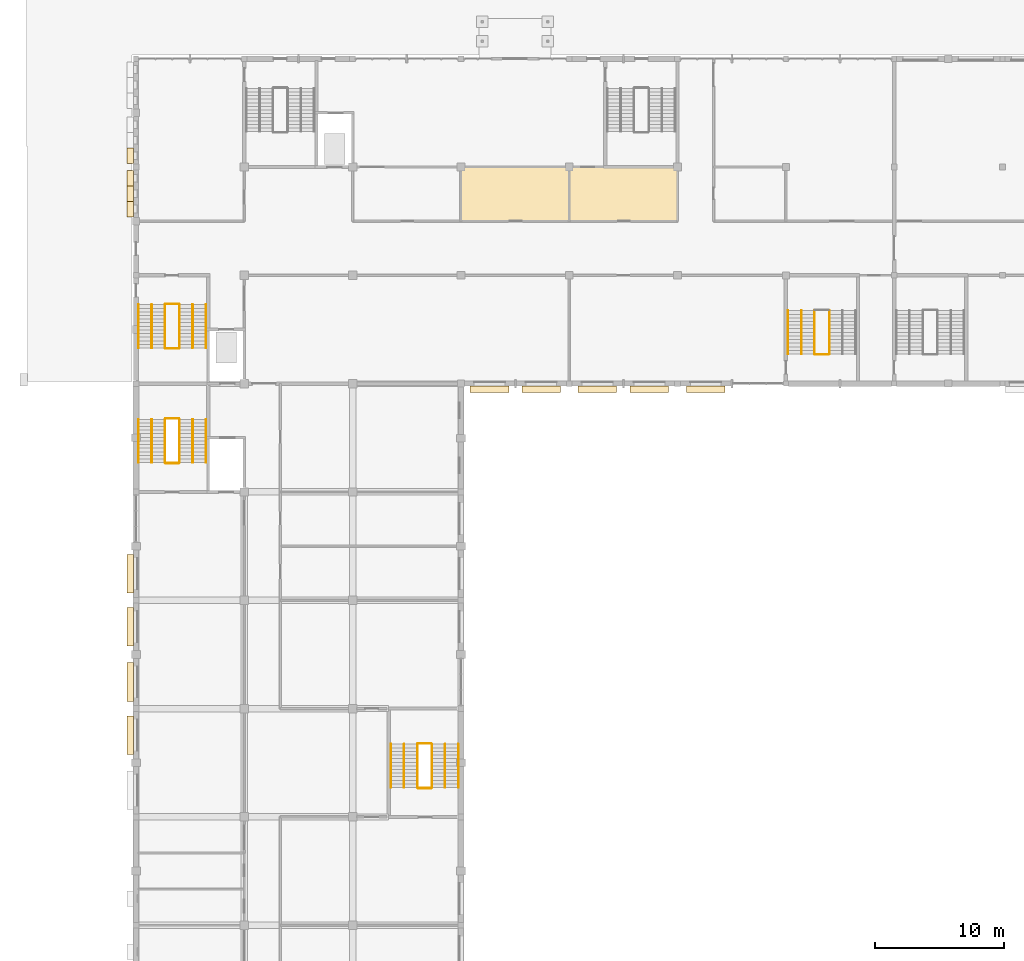
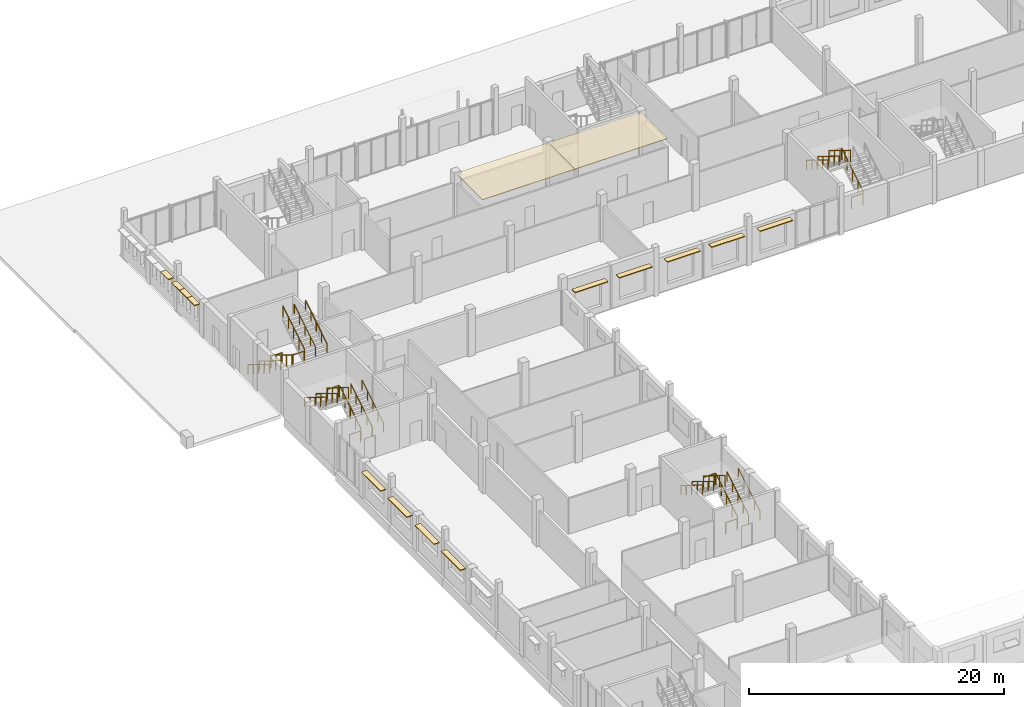
# One storey, part 95 of 101: 29 railings, 15 coverings.
"""IFC4 building model written with IfcOpenShell, lengths in metres."""

from ifc_helpers import new_model, si_unit, direction, frame, origin, origin_2d, place, context, subcontext, project, spatial, rectangle, circle, extrude, material, layer, layer_set, type_object, element, save


model = new_model("IFC4")

# Units and contexts
model_context = context("Model", 3, precision=1e-05, world=origin(), true_north=direction((0.0, 1.0)))
body_context = subcontext(model_context, "Body", "Model", "MODEL_VIEW")
ifc_project = project(units=[si_unit("LENGTHUNIT", "METRE"), si_unit("AREAUNIT", "SQUARE_METRE"), si_unit("VOLUMEUNIT", "CUBIC_METRE"), si_unit("PLANEANGLEUNIT", "RADIAN"), si_unit("MASSUNIT", "GRAM", prefix="KILO")], contexts=[model_context])

# Site, building, storey
site_placement = place(None, origin())
site = spatial("IfcSite", under=ifc_project, at=site_placement, CompositionType="ELEMENT")
building_placement = place(site_placement, origin())
building = spatial("IfcBuilding", under=site, at=building_placement, Name="Fescue Hill Polytechnic", CompositionType="ELEMENT")
storey_placement = place(building_placement, frame((0.0, 0.0, 9.0)))
storey = spatial("IfcBuildingStorey", under=building, at=storey_placement, Name="L02", CompositionType="ELEMENT", Elevation=9.0)

# Coverings
ifc_material_1 = material(Name="Precast concrete C40/50", Category="concrete")
ifc_layer = layer(ifc_material_1, 0.080078125)
ifc_layer_set = layer_set([ifc_layer], Name="Precast concrete C40/50")
covering_type = type_object("IfcCoveringType", Name="Shade blade precast 500x80", PredefinedType="CLADDING", material=ifc_layer_set)
for number, where, z_axis, x_axis, name in (
    (1, (-0.43994140625, 94.46240234375, 2.75), (0.0, 0.0, 1.0), (0.0, -1.0, 0.0), "SB-L02-V4-1"),
    (2, (-0.43994140625, 90.33740234375, 2.75), (0.0, 0.0, 1.0), (0.0, -1.0, 0.0), "SB-L02-V4-2"),
    (3, (-0.43994140625, 86.0625, 2.75), (0.0, 0.0, 1.0), (0.0, -1.0, 0.0), "SB-L02-V4-3"),
    (4, (-0.43994140625, 81.9375, 2.75), (0.0, 0.0, 1.0), (0.0, -1.0, 0.0), "SB-L02-V4-4"),
):
    element("IfcCovering", number, at=place(storey_placement, frame(where, z_axis=z_axis, x_axis=x_axis)), inside=storey, type_object=covering_type, Name=name, PredefinedType="CLADDING", context=body_context, shape_type="SweptSolid", body=[
        extrude(rectangle(XDim=3.0, YDim=0.5, at=origin_2d()), origin(), (0.0, 0.0, 1.0), 0.080078125),
    ])
for number, where, z_axis, x_axis, name in (
    (5, (-0.4599609375, 126.868896484375, 2.849853515625), (0.0, 0.0, 1.0), (0.0, -1.0, 0.0), "SB-L02-V5-6"),
    (6, (-0.4599609375, 125.137451171875, 2.849853515625), (0.0, 0.0, 1.0), (0.0, -1.0, 0.0), "SB-L02-V5-7"),
    (7, (-0.4599609375, 123.9375, 2.849853515625), (0.0, 0.0, 1.0), (0.0, -1.0, 0.0), "SB-L02-V5-8"),
    (8, (-0.4599609375, 122.737548828125, 2.849853515625), (0.0, 0.0, 1.0), (0.0, -1.0, 0.0), "SB-L02-V5-9"),
):
    element("IfcCovering", number, at=place(storey_placement, frame(where, z_axis=z_axis, x_axis=x_axis)), inside=storey, type_object=covering_type, Name=name, PredefinedType="CLADDING", context=body_context, shape_type="SweptSolid", body=[
        extrude(rectangle(XDim=1.199951171875, YDim=0.5, at=origin_2d()), origin(), (0.0, 0.0, 1.0), 0.080078125),
    ])
for number, where, z_axis, x_axis, name in (
    (9, (27.419921875, 108.75, 3.050048828125), (0.0, 0.0, 1.0), (1.0, 0.0, 0.0), "SB-L02-V5-10"),
    (10, (31.429931640625, 108.75, 3.050048828125), (0.0, 0.0, 1.0), (1.0, 0.0, 0.0), "SB-L02-V5-11"),
    (11, (35.782470703125, 108.75, 3.050048828125), (0.0, 0.0, 1.0), (1.0, 0.0, 0.0), "SB-L02-V5-12"),
    (12, (39.8173828125, 108.75, 3.050048828125), (0.0, 0.0, 1.0), (1.0, 0.0, 0.0), "SB-L02-V5-13"),
    (13, (44.188720703125, 108.75, 3.050048828125), (0.0, 0.0, 1.0), (1.0, 0.0, 0.0), "SB-L02-V5-14"),
):
    element("IfcCovering", number, at=place(storey_placement, frame(where, z_axis=z_axis, x_axis=x_axis)), inside=storey, type_object=covering_type, Name=name, PredefinedType="CLADDING", context=body_context, shape_type="SweptSolid", body=[
        extrude(rectangle(XDim=3.0, YDim=0.5, at=origin_2d()), origin(), (0.0, 0.0, 1.0), 0.080078125),
    ])

# Railings
ifc_material_2 = material(Name="Steel 350W (350 MPa)", Category="steel")
railing_type_1 = type_object("IfcRailingType", Name="Stair guard steel 1100", PredefinedType="GUARDRAIL", material=ifc_material_2)
railing_1_placement = place(storey_placement, frame((3.375, 103.074951171875, 0.173095703125)))
element("IfcRailing", 14, at=railing_1_placement, inside=storey, type_object=railing_type_1, Name="L02 ST-V4-2 stair guard 1", PredefinedType="GUARDRAIL", context=body_context, shape_type="SweptSolid", body=[
    extrude(circle(Radius=0.02392578125, at=origin_2d()), frame((0.0, 0.0, 1.076171875), z_axis=(0.0, 0.850623216509, 0.525775754039), x_axis=(-1.0, 0.0, 0.0)), (0.0, 0.0, 1.0), 3.9501953125),
    extrude(circle(Radius=0.02099609375, at=origin_2d()), origin(), (0.0, 0.0, 1.0), 1.052001953125),
    extrude(circle(Radius=0.02099609375, at=origin_2d()), frame((0.0, 0.840087890625, 0.519287109375)), (0.0, 0.0, 1.0), 1.052001953125),
    extrude(circle(Radius=0.02099609375, at=origin_2d()), frame((0.0, 1.68017578125, 1.03857421875)), (0.0, 0.0, 1.0), 1.052001953125),
    extrude(circle(Radius=0.02099609375, at=origin_2d()), frame((0.0, 2.52001953125, 1.5576171875)), (0.0, 0.0, 1.0), 1.052001953125),
    extrude(circle(Radius=0.02099609375, at=origin_2d()), frame((0.0, 3.360107421875, 2.076904296875)), (0.0, 0.0, 1.0), 1.052001953125),
])
railing_2_placement = place(storey_placement, frame((3.324951171875, 106.485107421875, 2.25)))
element("IfcRailing", 15, at=railing_2_placement, inside=storey, type_object=railing_type_1, Name="L02 ST-V4-2 stair guard 2", PredefinedType="GUARDRAIL", context=body_context, shape_type="SweptSolid", body=[
    extrude(circle(Radius=0.02392578125, at=origin_2d()), frame((0.0, 0.0, 1.076171875), z_axis=(-1.0, 0.0, 0.0), x_axis=(0.0, -1.0, 0.0)), (0.0, 0.0, 1.0), 1.02490234375),
    extrude(circle(Radius=0.02099609375, at=origin_2d()), origin(), (0.0, 0.0, 1.0), 1.052001953125),
    extrude(circle(Radius=0.02099609375, at=origin_2d()), frame((-1.02490234375, 0.0, 0.0)), (0.0, 0.0, 1.0), 1.052001953125),
])
railing_3_placement = place(storey_placement, frame((2.25, 106.43505859375, 2.423095703125)))
element("IfcRailing", 16, at=railing_3_placement, inside=storey, type_object=railing_type_1, Name="L02 ST-V4-2 stair guard 3", PredefinedType="GUARDRAIL", context=body_context, shape_type="SweptSolid", body=[
    extrude(circle(Radius=0.02392578125, at=origin_2d()), frame((0.0, 0.0, 1.076171875), z_axis=(0.0, -0.850623216509, 0.525775754039), x_axis=(1.0, 0.0, 0.0)), (0.0, 0.0, 1.0), 3.9501953125),
    extrude(circle(Radius=0.02099609375, at=origin_2d()), origin(), (0.0, 0.0, 1.0), 1.052001953125),
    extrude(circle(Radius=0.02099609375, at=origin_2d()), frame((0.0, -0.840087890625, 0.519287109375)), (0.0, 0.0, 1.0), 1.052001953125),
    extrude(circle(Radius=0.02099609375, at=origin_2d()), frame((0.0, -1.68017578125, 1.03857421875)), (0.0, 0.0, 1.0), 1.052001953125),
    extrude(circle(Radius=0.02099609375, at=origin_2d()), frame((0.0, -2.52001953125, 1.5576171875)), (0.0, 0.0, 1.0), 1.052001953125),
    extrude(circle(Radius=0.02099609375, at=origin_2d()), frame((0.0, -3.360107421875, 2.076904296875)), (0.0, 0.0, 1.0), 1.052001953125),
])
railing_4_placement = place(storey_placement, frame((3.324951171875, 103.02490234375, 0.0)))
element("IfcRailing", 17, at=railing_4_placement, inside=storey, type_object=railing_type_1, Name="L02 ST-V4-2 stair guard 4", PredefinedType="GUARDRAIL", context=body_context, shape_type="SweptSolid", body=[
    extrude(circle(Radius=0.02392578125, at=origin_2d()), frame((0.0, 0.0, 1.076171875), z_axis=(-1.0, 0.0, 0.0), x_axis=(0.0, -1.0, 0.0)), (0.0, 0.0, 1.0), 1.02490234375),
    extrude(circle(Radius=0.02099609375, at=origin_2d()), origin(), (0.0, 0.0, 1.0), 1.052001953125),
    extrude(circle(Radius=0.02099609375, at=origin_2d()), frame((-1.02490234375, 0.0, 0.0)), (0.0, 0.0, 1.0), 1.052001953125),
])
railing_5_placement = place(storey_placement, frame((22.949951171875, 77.875, 0.173095703125)))
element("IfcRailing", 18, at=railing_5_placement, inside=storey, type_object=railing_type_1, Name="L02 ST-V4-3 stair guard 1", PredefinedType="GUARDRAIL", context=body_context, shape_type="SweptSolid", body=[
    extrude(circle(Radius=0.02392578125, at=origin_2d()), frame((0.0, 0.0, 1.076171875), z_axis=(0.0, 0.850623216509, 0.525775754039), x_axis=(-1.0, 0.0, 0.0)), (0.0, 0.0, 1.0), 3.9501953125),
    extrude(circle(Radius=0.02099609375, at=origin_2d()), origin(), (0.0, 0.0, 1.0), 1.052001953125),
    extrude(circle(Radius=0.02099609375, at=origin_2d()), frame((0.0, 0.840087890625, 0.519287109375)), (0.0, 0.0, 1.0), 1.052001953125),
    extrude(circle(Radius=0.02099609375, at=origin_2d()), frame((0.0, 1.68017578125, 1.03857421875)), (0.0, 0.0, 1.0), 1.052001953125),
    extrude(circle(Radius=0.02099609375, at=origin_2d()), frame((0.0, 2.52001953125, 1.5576171875)), (0.0, 0.0, 1.0), 1.052001953125),
    extrude(circle(Radius=0.02099609375, at=origin_2d()), frame((0.0, 3.360107421875, 2.076904296875)), (0.0, 0.0, 1.0), 1.052001953125),
])
railing_6_placement = place(storey_placement, frame((22.89990234375, 81.284912109375, 2.25)))
element("IfcRailing", 19, at=railing_6_placement, inside=storey, type_object=railing_type_1, Name="L02 ST-V4-3 stair guard 2", PredefinedType="GUARDRAIL", context=body_context, shape_type="SweptSolid", body=[
    extrude(circle(Radius=0.02392578125, at=origin_2d()), frame((0.0, 0.0, 1.076171875), z_axis=(-1.0, 0.0, 0.0), x_axis=(0.0, -1.0, 0.0)), (0.0, 0.0, 1.0), 1.02490234375),
    extrude(circle(Radius=0.02099609375, at=origin_2d()), origin(), (0.0, 0.0, 1.0), 1.052001953125),
    extrude(circle(Radius=0.02099609375, at=origin_2d()), frame((-1.02490234375, 0.0, 0.0)), (0.0, 0.0, 1.0), 1.052001953125),
])
railing_7_placement = place(storey_placement, frame((21.824951171875, 81.235107421875, 2.423095703125)))
element("IfcRailing", 20, at=railing_7_placement, inside=storey, type_object=railing_type_1, Name="L02 ST-V4-3 stair guard 3", PredefinedType="GUARDRAIL", context=body_context, shape_type="SweptSolid", body=[
    extrude(circle(Radius=0.02392578125, at=origin_2d()), frame((0.0, 0.0, 1.076171875), z_axis=(0.0, -0.850623216509, 0.525775754039), x_axis=(1.0, 0.0, 0.0)), (0.0, 0.0, 1.0), 3.9501953125),
    extrude(circle(Radius=0.02099609375, at=origin_2d()), origin(), (0.0, 0.0, 1.0), 1.052001953125),
    extrude(circle(Radius=0.02099609375, at=origin_2d()), frame((0.0, -0.840087890625, 0.519287109375)), (0.0, 0.0, 1.0), 1.052001953125),
    extrude(circle(Radius=0.02099609375, at=origin_2d()), frame((0.0, -1.68017578125, 1.03857421875)), (0.0, 0.0, 1.0), 1.052001953125),
    extrude(circle(Radius=0.02099609375, at=origin_2d()), frame((0.0, -2.52001953125, 1.5576171875)), (0.0, 0.0, 1.0), 1.052001953125),
    extrude(circle(Radius=0.02099609375, at=origin_2d()), frame((0.0, -3.360107421875, 2.076904296875)), (0.0, 0.0, 1.0), 1.052001953125),
])
railing_8_placement = place(storey_placement, frame((22.89990234375, 77.824951171875, 0.0)))
element("IfcRailing", 21, at=railing_8_placement, inside=storey, type_object=railing_type_1, Name="L02 ST-V4-3 stair guard 4", PredefinedType="GUARDRAIL", context=body_context, shape_type="SweptSolid", body=[
    extrude(circle(Radius=0.02392578125, at=origin_2d()), frame((0.0, 0.0, 1.076171875), z_axis=(-1.0, 0.0, 0.0), x_axis=(0.0, -1.0, 0.0)), (0.0, 0.0, 1.0), 1.02490234375),
    extrude(circle(Radius=0.02099609375, at=origin_2d()), origin(), (0.0, 0.0, 1.0), 1.052001953125),
    extrude(circle(Radius=0.02099609375, at=origin_2d()), frame((-1.02490234375, 0.0, 0.0)), (0.0, 0.0, 1.0), 1.052001953125),
])
railing_9_placement = place(storey_placement, frame((2.25, 115.324951171875, 0.173095703125)))
element("IfcRailing", 22, at=railing_9_placement, inside=storey, type_object=railing_type_1, Name="L02 ST-V5-1 stair guard 1", PredefinedType="GUARDRAIL", context=body_context, shape_type="SweptSolid", body=[
    extrude(circle(Radius=0.02392578125, at=origin_2d()), frame((0.0, 0.0, 1.076171875), z_axis=(0.0, -0.850606129759, 0.525803396734), x_axis=(1.0, 0.0, 0.0)), (0.0, 0.0, 1.0), 3.949951171875),
    extrude(circle(Radius=0.02099609375, at=origin_2d()), origin(), (0.0, 0.0, 1.0), 1.052001953125),
    extrude(circle(Radius=0.02099609375, at=origin_2d()), frame((0.0, -0.83984375, 0.519287109375)), (0.0, 0.0, 1.0), 1.052001953125),
    extrude(circle(Radius=0.02099609375, at=origin_2d()), frame((0.0, -1.679931640625, 1.03857421875)), (0.0, 0.0, 1.0), 1.052001953125),
    extrude(circle(Radius=0.02099609375, at=origin_2d()), frame((0.0, -2.52001953125, 1.5576171875)), (0.0, 0.0, 1.0), 1.052001953125),
    extrude(circle(Radius=0.02099609375, at=origin_2d()), frame((0.0, -3.35986328125, 2.076904296875)), (0.0, 0.0, 1.0), 1.052001953125),
])
railing_10_placement = place(storey_placement, frame((2.300048828125, 111.9150390625, 2.25)))
element("IfcRailing", 23, at=railing_10_placement, inside=storey, type_object=railing_type_1, Name="L02 ST-V5-1 stair guard 2", PredefinedType="GUARDRAIL", context=body_context, shape_type="SweptSolid", body=[
    extrude(circle(Radius=0.02392578125, at=origin_2d()), frame((0.0, 0.0, 1.076171875), z_axis=(1.0, 0.0, 0.0), x_axis=(0.0, 1.0, 0.0)), (0.0, 0.0, 1.0), 1.02490234375),
    extrude(circle(Radius=0.02099609375, at=origin_2d()), origin(), (0.0, 0.0, 1.0), 1.052001953125),
    extrude(circle(Radius=0.02099609375, at=origin_2d()), frame((1.02490234375, 0.0, 0.0)), (0.0, 0.0, 1.0), 1.052001953125),
])
railing_11_placement = place(storey_placement, frame((3.375, 111.965087890625, 2.423095703125)))
element("IfcRailing", 24, at=railing_11_placement, inside=storey, type_object=railing_type_1, Name="L02 ST-V5-1 stair guard 3", PredefinedType="GUARDRAIL", context=body_context, shape_type="SweptSolid", body=[
    extrude(circle(Radius=0.02392578125, at=origin_2d()), frame((0.0, 0.0, 1.076171875), z_axis=(0.0, 0.850606129759, 0.525803396734), x_axis=(-1.0, 0.0, 0.0)), (0.0, 0.0, 1.0), 3.949951171875),
    extrude(circle(Radius=0.02099609375, at=origin_2d()), origin(), (0.0, 0.0, 1.0), 1.052001953125),
    extrude(circle(Radius=0.02099609375, at=origin_2d()), frame((0.0, 0.83984375, 0.519287109375)), (0.0, 0.0, 1.0), 1.052001953125),
    extrude(circle(Radius=0.02099609375, at=origin_2d()), frame((0.0, 1.679931640625, 1.03857421875)), (0.0, 0.0, 1.0), 1.052001953125),
    extrude(circle(Radius=0.02099609375, at=origin_2d()), frame((0.0, 2.52001953125, 1.5576171875)), (0.0, 0.0, 1.0), 1.052001953125),
    extrude(circle(Radius=0.02099609375, at=origin_2d()), frame((0.0, 3.35986328125, 2.076904296875)), (0.0, 0.0, 1.0), 1.052001953125),
])
railing_12_placement = place(storey_placement, frame((2.300048828125, 115.375, 0.0)))
element("IfcRailing", 25, at=railing_12_placement, inside=storey, type_object=railing_type_1, Name="L02 ST-V5-1 stair guard 4", PredefinedType="GUARDRAIL", context=body_context, shape_type="SweptSolid", body=[
    extrude(circle(Radius=0.02392578125, at=origin_2d()), frame((0.0, 0.0, 1.076171875), z_axis=(1.0, 0.0, 0.0), x_axis=(0.0, 1.0, 0.0)), (0.0, 0.0, 1.0), 1.02490234375),
    extrude(circle(Radius=0.02099609375, at=origin_2d()), origin(), (0.0, 0.0, 1.0), 1.052001953125),
    extrude(circle(Radius=0.02099609375, at=origin_2d()), frame((1.02490234375, 0.0, 0.0)), (0.0, 0.0, 1.0), 1.052001953125),
])
railing_13_placement = place(storey_placement, frame((53.77490234375, 111.5, 0.173095703125)))
element("IfcRailing", 26, at=railing_13_placement, inside=storey, type_object=railing_type_1, Name="L02 ST-V5-4 stair guard 1", PredefinedType="GUARDRAIL", context=body_context, shape_type="SweptSolid", body=[
    extrude(circle(Radius=0.02392578125, at=origin_2d()), frame((0.0, 0.0, 1.076171875), z_axis=(0.0, 0.850623216509, 0.525775754039), x_axis=(-1.0, 0.0, 0.0)), (0.0, 0.0, 1.0), 3.9501953125),
    extrude(circle(Radius=0.02099609375, at=origin_2d()), origin(), (0.0, 0.0, 1.0), 1.052001953125),
    extrude(circle(Radius=0.02099609375, at=origin_2d()), frame((0.0, 0.840087890625, 0.519287109375)), (0.0, 0.0, 1.0), 1.052001953125),
    extrude(circle(Radius=0.02099609375, at=origin_2d()), frame((0.0, 1.68017578125, 1.03857421875)), (0.0, 0.0, 1.0), 1.052001953125),
    extrude(circle(Radius=0.02099609375, at=origin_2d()), frame((0.0, 2.52001953125, 1.5576171875)), (0.0, 0.0, 1.0), 1.052001953125),
    extrude(circle(Radius=0.02099609375, at=origin_2d()), frame((0.0, 3.360107421875, 2.076904296875)), (0.0, 0.0, 1.0), 1.052001953125),
])
railing_14_placement = place(storey_placement, frame((52.625, 114.860107421875, 2.423095703125)))
element("IfcRailing", 27, at=railing_14_placement, inside=storey, type_object=railing_type_1, Name="L02 ST-V5-4 stair guard 3", PredefinedType="GUARDRAIL", context=body_context, shape_type="SweptSolid", body=[
    extrude(circle(Radius=0.02392578125, at=origin_2d()), frame((0.0, 0.0, 1.076171875), z_axis=(0.0, -0.850623216509, 0.525775754039), x_axis=(1.0, 0.0, 0.0)), (0.0, 0.0, 1.0), 3.9501953125),
    extrude(circle(Radius=0.02099609375, at=origin_2d()), origin(), (0.0, 0.0, 1.0), 1.052001953125),
    extrude(circle(Radius=0.02099609375, at=origin_2d()), frame((0.0, -0.840087890625, 0.519287109375)), (0.0, 0.0, 1.0), 1.052001953125),
    extrude(circle(Radius=0.02099609375, at=origin_2d()), frame((0.0, -1.68017578125, 1.03857421875)), (0.0, 0.0, 1.0), 1.052001953125),
    extrude(circle(Radius=0.02099609375, at=origin_2d()), frame((0.0, -2.52001953125, 1.5576171875)), (0.0, 0.0, 1.0), 1.052001953125),
    extrude(circle(Radius=0.02099609375, at=origin_2d()), frame((0.0, -3.360107421875, 2.076904296875)), (0.0, 0.0, 1.0), 1.052001953125),
])
railing_15_placement = place(storey_placement, frame((53.72509765625, 111.449951171875, 0.0)))
element("IfcRailing", 28, at=railing_15_placement, inside=storey, type_object=railing_type_1, Name="L02 ST-V5-4 stair guard 4", PredefinedType="GUARDRAIL", context=body_context, shape_type="SweptSolid", body=[
    extrude(circle(Radius=0.02392578125, at=origin_2d()), frame((0.0, 0.0, 1.076171875), z_axis=(-1.0, 0.0, 0.0), x_axis=(0.0, -1.0, 0.0)), (0.0, 0.0, 1.0), 1.050048828125),
    extrude(circle(Radius=0.02099609375, at=origin_2d()), origin(), (0.0, 0.0, 1.0), 1.052001953125),
    extrude(circle(Radius=0.02099609375, at=origin_2d()), frame((-1.050048828125, 0.0, 0.0)), (0.0, 0.0, 1.0), 1.052001953125),
])
railing_type_2 = type_object("IfcRailingType", Name="Stair handrail steel 900", PredefinedType="HANDRAIL", material=ifc_material_2)
railing_16_placement = place(storey_placement, frame((5.425048828125, 103.074951171875, 0.173095703125)))
element("IfcRailing", 29, at=railing_16_placement, inside=storey, type_object=railing_type_2, Name="L02 ST-V4-2 stair handrail 1", PredefinedType="HANDRAIL", context=body_context, shape_type="SweptSolid", body=[
    extrude(circle(Radius=0.02392578125, at=origin_2d()), frame((0.0, 0.0, 0.8759765625), z_axis=(0.0, 0.850623216509, 0.525775754039), x_axis=(-1.0, 0.0, 0.0)), (0.0, 0.0, 1.0), 3.9501953125),
    extrude(circle(Radius=0.02099609375, at=origin_2d()), origin(), (0.0, 0.0, 1.0), 0.851806640625),
    extrude(circle(Radius=0.02099609375, at=origin_2d()), frame((0.0, 0.840087890625, 0.519287109375)), (0.0, 0.0, 1.0), 0.851806640625),
    extrude(circle(Radius=0.02099609375, at=origin_2d()), frame((0.0, 1.68017578125, 1.03857421875)), (0.0, 0.0, 1.0), 0.851806640625),
    extrude(circle(Radius=0.02099609375, at=origin_2d()), frame((0.0, 2.52001953125, 1.5576171875)), (0.0, 0.0, 1.0), 0.851806640625),
    extrude(circle(Radius=0.02099609375, at=origin_2d()), frame((0.0, 3.360107421875, 2.076904296875)), (0.0, 0.0, 1.0), 0.851806640625),
])
railing_17_placement = place(storey_placement, frame((0.199951171875, 106.43505859375, 2.423095703125)))
element("IfcRailing", 30, at=railing_17_placement, inside=storey, type_object=railing_type_2, Name="L02 ST-V4-2 stair handrail 2", PredefinedType="HANDRAIL", context=body_context, shape_type="SweptSolid", body=[
    extrude(circle(Radius=0.02392578125, at=origin_2d()), frame((0.0, 0.0, 0.8759765625), z_axis=(0.0, -0.850623216509, 0.525775754039), x_axis=(1.0, 0.0, 0.0)), (0.0, 0.0, 1.0), 3.9501953125),
    extrude(circle(Radius=0.02099609375, at=origin_2d()), origin(), (0.0, 0.0, 1.0), 0.851806640625),
    extrude(circle(Radius=0.02099609375, at=origin_2d()), frame((0.0, -0.840087890625, 0.519287109375)), (0.0, 0.0, 1.0), 0.851806640625),
    extrude(circle(Radius=0.02099609375, at=origin_2d()), frame((0.0, -1.68017578125, 1.03857421875)), (0.0, 0.0, 1.0), 0.851806640625),
    extrude(circle(Radius=0.02099609375, at=origin_2d()), frame((0.0, -2.52001953125, 1.5576171875)), (0.0, 0.0, 1.0), 0.851806640625),
    extrude(circle(Radius=0.02099609375, at=origin_2d()), frame((0.0, -3.360107421875, 2.076904296875)), (0.0, 0.0, 1.0), 0.851806640625),
])
railing_18_placement = place(storey_placement, frame((4.39990234375, 103.074951171875, 0.173095703125)))
element("IfcRailing", 31, at=railing_18_placement, inside=storey, type_object=railing_type_2, Name="L02 ST-V4-2 stair handrail 3", PredefinedType="HANDRAIL", context=body_context, shape_type="SweptSolid", body=[
    extrude(circle(Radius=0.02392578125, at=origin_2d()), frame((0.0, 0.0, 0.8759765625), z_axis=(0.0, 0.850623216509, 0.525775754039), x_axis=(-1.0, 0.0, 0.0)), (0.0, 0.0, 1.0), 3.9501953125),
    extrude(circle(Radius=0.02099609375, at=origin_2d()), origin(), (0.0, 0.0, 1.0), 0.851806640625),
    extrude(circle(Radius=0.02099609375, at=origin_2d()), frame((0.0, 0.840087890625, 0.519287109375)), (0.0, 0.0, 1.0), 0.851806640625),
    extrude(circle(Radius=0.02099609375, at=origin_2d()), frame((0.0, 1.68017578125, 1.03857421875)), (0.0, 0.0, 1.0), 0.851806640625),
    extrude(circle(Radius=0.02099609375, at=origin_2d()), frame((0.0, 2.52001953125, 1.5576171875)), (0.0, 0.0, 1.0), 0.851806640625),
    extrude(circle(Radius=0.02099609375, at=origin_2d()), frame((0.0, 3.360107421875, 2.076904296875)), (0.0, 0.0, 1.0), 0.851806640625),
])
railing_19_placement = place(storey_placement, frame((1.22509765625, 106.43505859375, 2.423095703125)))
element("IfcRailing", 32, at=railing_19_placement, inside=storey, type_object=railing_type_2, Name="L02 ST-V4-2 stair handrail 4", PredefinedType="HANDRAIL", context=body_context, shape_type="SweptSolid", body=[
    extrude(circle(Radius=0.02392578125, at=origin_2d()), frame((0.0, 0.0, 0.8759765625), z_axis=(0.0, -0.850623216509, 0.525775754039), x_axis=(1.0, 0.0, 0.0)), (0.0, 0.0, 1.0), 3.9501953125),
    extrude(circle(Radius=0.02099609375, at=origin_2d()), origin(), (0.0, 0.0, 1.0), 0.851806640625),
    extrude(circle(Radius=0.02099609375, at=origin_2d()), frame((0.0, -0.840087890625, 0.519287109375)), (0.0, 0.0, 1.0), 0.851806640625),
    extrude(circle(Radius=0.02099609375, at=origin_2d()), frame((0.0, -1.68017578125, 1.03857421875)), (0.0, 0.0, 1.0), 0.851806640625),
    extrude(circle(Radius=0.02099609375, at=origin_2d()), frame((0.0, -2.52001953125, 1.5576171875)), (0.0, 0.0, 1.0), 0.851806640625),
    extrude(circle(Radius=0.02099609375, at=origin_2d()), frame((0.0, -3.360107421875, 2.076904296875)), (0.0, 0.0, 1.0), 0.851806640625),
])
railing_20_placement = place(storey_placement, frame((25.0, 77.875, 0.173095703125)))
element("IfcRailing", 33, at=railing_20_placement, inside=storey, type_object=railing_type_2, Name="L02 ST-V4-3 stair handrail 1", PredefinedType="HANDRAIL", context=body_context, shape_type="SweptSolid", body=[
    extrude(circle(Radius=0.02392578125, at=origin_2d()), frame((0.0, 0.0, 0.8759765625), z_axis=(0.0, 0.850623216509, 0.525775754039), x_axis=(-1.0, 0.0, 0.0)), (0.0, 0.0, 1.0), 3.9501953125),
    extrude(circle(Radius=0.02099609375, at=origin_2d()), origin(), (0.0, 0.0, 1.0), 0.851806640625),
    extrude(circle(Radius=0.02099609375, at=origin_2d()), frame((0.0, 0.840087890625, 0.519287109375)), (0.0, 0.0, 1.0), 0.851806640625),
    extrude(circle(Radius=0.02099609375, at=origin_2d()), frame((0.0, 1.68017578125, 1.03857421875)), (0.0, 0.0, 1.0), 0.851806640625),
    extrude(circle(Radius=0.02099609375, at=origin_2d()), frame((0.0, 2.52001953125, 1.5576171875)), (0.0, 0.0, 1.0), 0.851806640625),
    extrude(circle(Radius=0.02099609375, at=origin_2d()), frame((0.0, 3.360107421875, 2.076904296875)), (0.0, 0.0, 1.0), 0.851806640625),
])
railing_21_placement = place(storey_placement, frame((19.77490234375, 81.235107421875, 2.423095703125)))
element("IfcRailing", 34, at=railing_21_placement, inside=storey, type_object=railing_type_2, Name="L02 ST-V4-3 stair handrail 2", PredefinedType="HANDRAIL", context=body_context, shape_type="SweptSolid", body=[
    extrude(circle(Radius=0.02392578125, at=origin_2d()), frame((0.0, 0.0, 0.8759765625), z_axis=(0.0, -0.850623216509, 0.525775754039), x_axis=(1.0, 0.0, 0.0)), (0.0, 0.0, 1.0), 3.9501953125),
    extrude(circle(Radius=0.02099609375, at=origin_2d()), origin(), (0.0, 0.0, 1.0), 0.851806640625),
    extrude(circle(Radius=0.02099609375, at=origin_2d()), frame((0.0, -0.840087890625, 0.519287109375)), (0.0, 0.0, 1.0), 0.851806640625),
    extrude(circle(Radius=0.02099609375, at=origin_2d()), frame((0.0, -1.68017578125, 1.03857421875)), (0.0, 0.0, 1.0), 0.851806640625),
    extrude(circle(Radius=0.02099609375, at=origin_2d()), frame((0.0, -2.52001953125, 1.5576171875)), (0.0, 0.0, 1.0), 0.851806640625),
    extrude(circle(Radius=0.02099609375, at=origin_2d()), frame((0.0, -3.360107421875, 2.076904296875)), (0.0, 0.0, 1.0), 0.851806640625),
])
railing_22_placement = place(storey_placement, frame((23.97509765625, 77.875, 0.173095703125)))
element("IfcRailing", 35, at=railing_22_placement, inside=storey, type_object=railing_type_2, Name="L02 ST-V4-3 stair handrail 3", PredefinedType="HANDRAIL", context=body_context, shape_type="SweptSolid", body=[
    extrude(circle(Radius=0.02392578125, at=origin_2d()), frame((0.0, 0.0, 0.8759765625), z_axis=(0.0, 0.850623216509, 0.525775754039), x_axis=(-1.0, 0.0, 0.0)), (0.0, 0.0, 1.0), 3.9501953125),
    extrude(circle(Radius=0.02099609375, at=origin_2d()), origin(), (0.0, 0.0, 1.0), 0.851806640625),
    extrude(circle(Radius=0.02099609375, at=origin_2d()), frame((0.0, 0.840087890625, 0.519287109375)), (0.0, 0.0, 1.0), 0.851806640625),
    extrude(circle(Radius=0.02099609375, at=origin_2d()), frame((0.0, 1.68017578125, 1.03857421875)), (0.0, 0.0, 1.0), 0.851806640625),
    extrude(circle(Radius=0.02099609375, at=origin_2d()), frame((0.0, 2.52001953125, 1.5576171875)), (0.0, 0.0, 1.0), 0.851806640625),
    extrude(circle(Radius=0.02099609375, at=origin_2d()), frame((0.0, 3.360107421875, 2.076904296875)), (0.0, 0.0, 1.0), 0.851806640625),
])
railing_23_placement = place(storey_placement, frame((20.800048828125, 81.235107421875, 2.423095703125)))
element("IfcRailing", 36, at=railing_23_placement, inside=storey, type_object=railing_type_2, Name="L02 ST-V4-3 stair handrail 4", PredefinedType="HANDRAIL", context=body_context, shape_type="SweptSolid", body=[
    extrude(circle(Radius=0.02392578125, at=origin_2d()), frame((0.0, 0.0, 0.8759765625), z_axis=(0.0, -0.850623216509, 0.525775754039), x_axis=(1.0, 0.0, 0.0)), (0.0, 0.0, 1.0), 3.9501953125),
    extrude(circle(Radius=0.02099609375, at=origin_2d()), origin(), (0.0, 0.0, 1.0), 0.851806640625),
    extrude(circle(Radius=0.02099609375, at=origin_2d()), frame((0.0, -0.840087890625, 0.519287109375)), (0.0, 0.0, 1.0), 0.851806640625),
    extrude(circle(Radius=0.02099609375, at=origin_2d()), frame((0.0, -1.68017578125, 1.03857421875)), (0.0, 0.0, 1.0), 0.851806640625),
    extrude(circle(Radius=0.02099609375, at=origin_2d()), frame((0.0, -2.52001953125, 1.5576171875)), (0.0, 0.0, 1.0), 0.851806640625),
    extrude(circle(Radius=0.02099609375, at=origin_2d()), frame((0.0, -3.360107421875, 2.076904296875)), (0.0, 0.0, 1.0), 0.851806640625),
])
railing_24_placement = place(storey_placement, frame((0.199951171875, 115.324951171875, 0.173095703125)))
element("IfcRailing", 37, at=railing_24_placement, inside=storey, type_object=railing_type_2, Name="L02 ST-V5-1 stair handrail 1", PredefinedType="HANDRAIL", context=body_context, shape_type="SweptSolid", body=[
    extrude(circle(Radius=0.02392578125, at=origin_2d()), frame((0.0, 0.0, 0.8759765625), z_axis=(0.0, -0.850606129759, 0.525803396734), x_axis=(1.0, 0.0, 0.0)), (0.0, 0.0, 1.0), 3.949951171875),
    extrude(circle(Radius=0.02099609375, at=origin_2d()), origin(), (0.0, 0.0, 1.0), 0.851806640625),
    extrude(circle(Radius=0.02099609375, at=origin_2d()), frame((0.0, -0.83984375, 0.519287109375)), (0.0, 0.0, 1.0), 0.851806640625),
    extrude(circle(Radius=0.02099609375, at=origin_2d()), frame((0.0, -1.679931640625, 1.03857421875)), (0.0, 0.0, 1.0), 0.851806640625),
    extrude(circle(Radius=0.02099609375, at=origin_2d()), frame((0.0, -2.52001953125, 1.5576171875)), (0.0, 0.0, 1.0), 0.851806640625),
    extrude(circle(Radius=0.02099609375, at=origin_2d()), frame((0.0, -3.35986328125, 2.076904296875)), (0.0, 0.0, 1.0), 0.851806640625),
])
railing_25_placement = place(storey_placement, frame((5.425048828125, 111.965087890625, 2.423095703125)))
element("IfcRailing", 38, at=railing_25_placement, inside=storey, type_object=railing_type_2, Name="L02 ST-V5-1 stair handrail 2", PredefinedType="HANDRAIL", context=body_context, shape_type="SweptSolid", body=[
    extrude(circle(Radius=0.02392578125, at=origin_2d()), frame((0.0, 0.0, 0.8759765625), z_axis=(0.0, 0.850606129759, 0.525803396734), x_axis=(-1.0, 0.0, 0.0)), (0.0, 0.0, 1.0), 3.949951171875),
    extrude(circle(Radius=0.02099609375, at=origin_2d()), origin(), (0.0, 0.0, 1.0), 0.851806640625),
    extrude(circle(Radius=0.02099609375, at=origin_2d()), frame((0.0, 0.83984375, 0.519287109375)), (0.0, 0.0, 1.0), 0.851806640625),
    extrude(circle(Radius=0.02099609375, at=origin_2d()), frame((0.0, 1.679931640625, 1.03857421875)), (0.0, 0.0, 1.0), 0.851806640625),
    extrude(circle(Radius=0.02099609375, at=origin_2d()), frame((0.0, 2.52001953125, 1.5576171875)), (0.0, 0.0, 1.0), 0.851806640625),
    extrude(circle(Radius=0.02099609375, at=origin_2d()), frame((0.0, 3.35986328125, 2.076904296875)), (0.0, 0.0, 1.0), 0.851806640625),
])
railing_26_placement = place(storey_placement, frame((1.22509765625, 115.324951171875, 0.173095703125)))
element("IfcRailing", 39, at=railing_26_placement, inside=storey, type_object=railing_type_2, Name="L02 ST-V5-1 stair handrail 3", PredefinedType="HANDRAIL", context=body_context, shape_type="SweptSolid", body=[
    extrude(circle(Radius=0.02392578125, at=origin_2d()), frame((0.0, 0.0, 0.8759765625), z_axis=(0.0, -0.850606129759, 0.525803396734), x_axis=(1.0, 0.0, 0.0)), (0.0, 0.0, 1.0), 3.949951171875),
    extrude(circle(Radius=0.02099609375, at=origin_2d()), origin(), (0.0, 0.0, 1.0), 0.851806640625),
    extrude(circle(Radius=0.02099609375, at=origin_2d()), frame((0.0, -0.83984375, 0.519287109375)), (0.0, 0.0, 1.0), 0.851806640625),
    extrude(circle(Radius=0.02099609375, at=origin_2d()), frame((0.0, -1.679931640625, 1.03857421875)), (0.0, 0.0, 1.0), 0.851806640625),
    extrude(circle(Radius=0.02099609375, at=origin_2d()), frame((0.0, -2.52001953125, 1.5576171875)), (0.0, 0.0, 1.0), 0.851806640625),
    extrude(circle(Radius=0.02099609375, at=origin_2d()), frame((0.0, -3.35986328125, 2.076904296875)), (0.0, 0.0, 1.0), 0.851806640625),
])
railing_27_placement = place(storey_placement, frame((4.39990234375, 111.965087890625, 2.423095703125)))
element("IfcRailing", 40, at=railing_27_placement, inside=storey, type_object=railing_type_2, Name="L02 ST-V5-1 stair handrail 4", PredefinedType="HANDRAIL", context=body_context, shape_type="SweptSolid", body=[
    extrude(circle(Radius=0.02392578125, at=origin_2d()), frame((0.0, 0.0, 0.8759765625), z_axis=(0.0, 0.850606129759, 0.525803396734), x_axis=(-1.0, 0.0, 0.0)), (0.0, 0.0, 1.0), 3.949951171875),
    extrude(circle(Radius=0.02099609375, at=origin_2d()), origin(), (0.0, 0.0, 1.0), 0.851806640625),
    extrude(circle(Radius=0.02099609375, at=origin_2d()), frame((0.0, 0.83984375, 0.519287109375)), (0.0, 0.0, 1.0), 0.851806640625),
    extrude(circle(Radius=0.02099609375, at=origin_2d()), frame((0.0, 1.679931640625, 1.03857421875)), (0.0, 0.0, 1.0), 0.851806640625),
    extrude(circle(Radius=0.02099609375, at=origin_2d()), frame((0.0, 2.52001953125, 1.5576171875)), (0.0, 0.0, 1.0), 0.851806640625),
    extrude(circle(Radius=0.02099609375, at=origin_2d()), frame((0.0, 3.35986328125, 2.076904296875)), (0.0, 0.0, 1.0), 0.851806640625),
])
for number, where, name in (
    (41, (50.574951171875, 114.860107421875, 2.423095703125), "L02 ST-V5-4 stair handrail 2"),
    (42, (51.60009765625, 114.860107421875, 2.423095703125), "L02 ST-V5-4 stair handrail 4"),
):
    element("IfcRailing", number, at=place(storey_placement, frame(where)), inside=storey, type_object=railing_type_2, Name=name, PredefinedType="HANDRAIL", context=body_context, shape_type="SweptSolid", body=[
        extrude(circle(Radius=0.02392578125, at=origin_2d()), frame((0.0, 0.0, 0.8759765625), z_axis=(0.0, -0.850623216509, 0.525775754039), x_axis=(1.0, 0.0, 0.0)), (0.0, 0.0, 1.0), 3.9501953125),
        extrude(circle(Radius=0.02099609375, at=origin_2d()), origin(), (0.0, 0.0, 1.0), 0.851806640625),
        extrude(circle(Radius=0.02099609375, at=origin_2d()), frame((0.0, -0.840087890625, 0.519287109375)), (0.0, 0.0, 1.0), 0.851806640625),
        extrude(circle(Radius=0.02099609375, at=origin_2d()), frame((0.0, -1.68017578125, 1.03857421875)), (0.0, 0.0, 1.0), 0.851806640625),
        extrude(circle(Radius=0.02099609375, at=origin_2d()), frame((0.0, -2.52001953125, 1.5576171875)), (0.0, 0.0, 1.0), 0.851806640625),
        extrude(circle(Radius=0.02099609375, at=origin_2d()), frame((0.0, -3.360107421875, 2.076904296875)), (0.0, 0.0, 1.0), 0.851806640625),
    ])

# Coverings
for number, where, z_axis, x_axis, name in (
    (43, (29.39990234375, 123.89990234375, 4.14990234375), (0.0, 0.0, 1.0), (1.0, 0.0, 0.0), "Ceiling Group Study Room 2.79"),
    (44, (37.800048828125, 123.89990234375, 4.14990234375), (0.0, 0.0, 1.0), (1.0, 0.0, 0.0), "Ceiling Group Study Room 2.80"),
):
    element("IfcCovering", number, at=place(storey_placement, frame(where, z_axis=z_axis, x_axis=x_axis)), inside=storey, Name=name, PredefinedType="CEILING", context=body_context, shape_type="SweptSolid", body=[
        extrude(rectangle(XDim=8.39990234375, YDim=4.199951171875, at=origin_2d()), origin(), (0.0, 0.0, 1.0), 0.0400390625),
    ])

save(model, "model.ifc")
